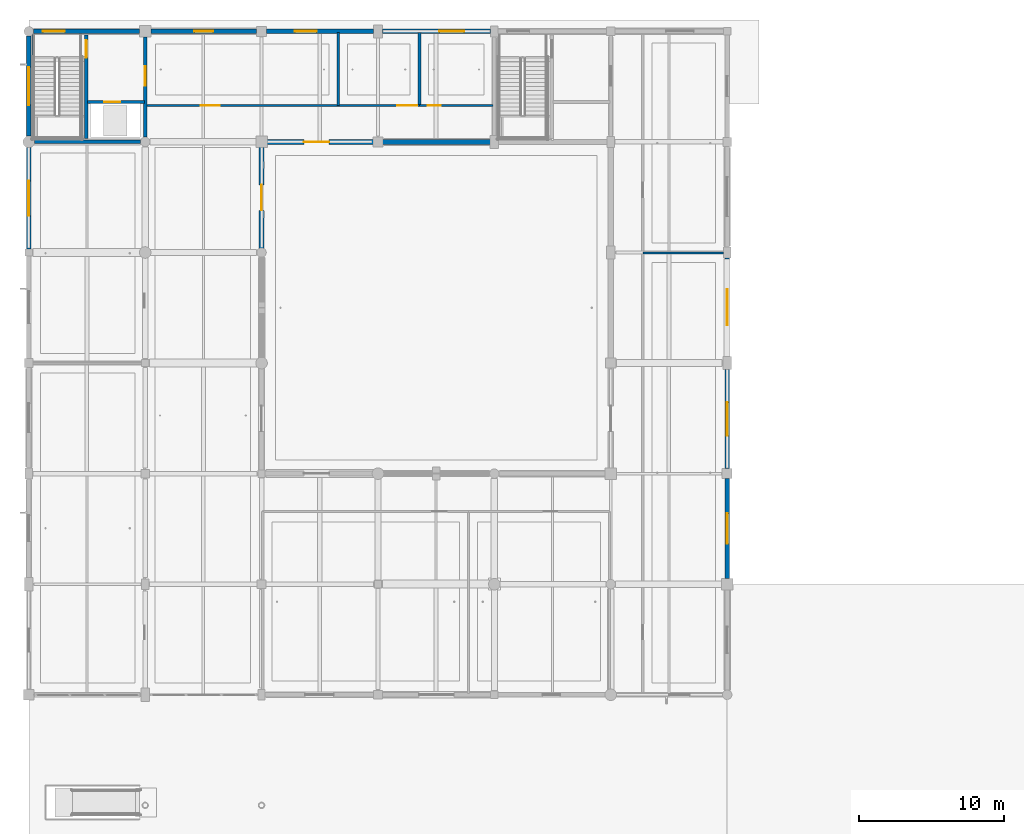
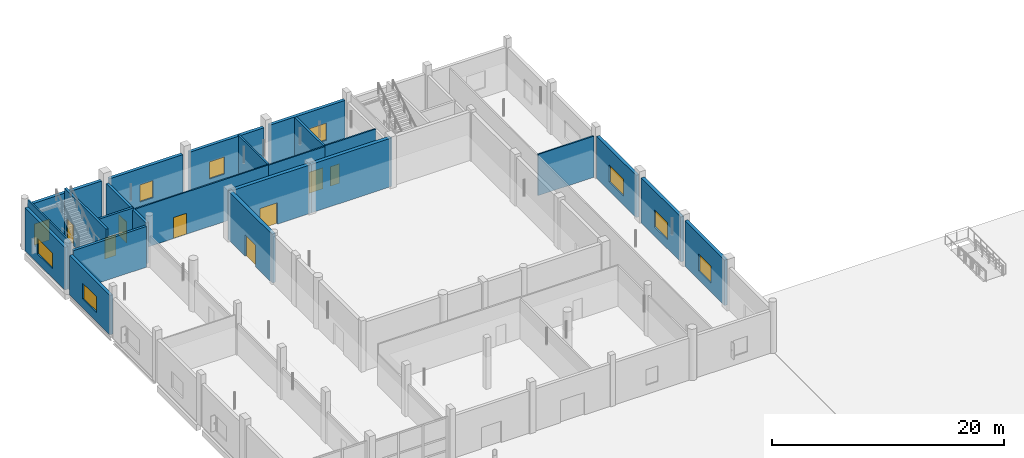
# One storey, part 65 of 126: 23 walls, 9 doors, 8 windows, 17 openings.
"""IFC4 building model written with IfcOpenShell, lengths in metres."""

from ifc_helpers import new_model, si_unit, direction, frame, frame_2d, origin, place, context, subcontext, project, spatial, rectangle, extrude, material, layer, layer_set, type_object, element, fill, save


model = new_model("IFC4")

# Units and contexts
model_context = context("Model", 3, precision=1e-05, world=origin(), true_north=direction((0.0, 1.0)))
body_context = subcontext(model_context, "Body", "Model", "MODEL_VIEW")
ifc_project = project(units=[si_unit("LENGTHUNIT", "METRE"), si_unit("AREAUNIT", "SQUARE_METRE"), si_unit("VOLUMEUNIT", "CUBIC_METRE"), si_unit("PLANEANGLEUNIT", "RADIAN"), si_unit("MASSUNIT", "GRAM", prefix="KILO")], contexts=[model_context])

# Site, building, storey
site_placement = place(None, origin())
site = spatial("IfcSite", under=ifc_project, at=site_placement, CompositionType="ELEMENT")
building_placement = place(site_placement, origin())
building = spatial("IfcBuilding", under=site, at=building_placement, Name="Khelvaren Railside Concert Hall", CompositionType="ELEMENT")
storey_placement = place(building_placement, origin())
storey = spatial("IfcBuildingStorey", under=building, at=storey_placement, Name="L00", CompositionType="ELEMENT", Elevation=0.0)

# Walls
ifc_material_1 = material(Name="Concrete C40/50", Category="concrete")
ifc_layer_1 = layer(ifc_material_1, 0.139892578125)
ifc_layer_set_1 = layer_set([ifc_layer_1], Name="Concrete C40/50")
wall_type_1 = type_object("IfcWallType", Name="CW17", PredefinedType="SOLIDWALL", material=ifc_layer_set_1)
wall_1_placement = place(storey_placement, frame((0.27490234375, 106.550048828125, 0.0), z_axis=(0.0, 0.0, 1.0), x_axis=(0.0, 1.0, 0.0)))
element("IfcWall", 1, at=wall_1_placement, inside=storey, type_object=wall_type_1, Name="Core Shaft Structural Liner Wall ST-07-L00", PredefinedType="SOLIDWALL", context=body_context, shape_type="SweptSolid", body=[
    extrude(rectangle(XDim=7.300048828125, YDim=0.139892578125, at=frame_2d((3.64990234375, 0.0))), origin(), (0.0, 0.0, 1.0), 5.10009765625),
])
ifc_layer_2 = layer(ifc_material_1, 0.25)
ifc_layer_set_2 = layer_set([ifc_layer_2], Name="Concrete C40/50")
wall_type_2 = type_object("IfcWallType", Name="CW82", PredefinedType="SOLIDWALL", material=ifc_layer_set_2)
wall_2_placement = place(storey_placement, frame((0.39990234375, 106.39990234375, 0.0), z_axis=(0.0, 0.0, 1.0), x_axis=(1.0, 0.0, 0.0)))
element("IfcWall", 2, at=wall_2_placement, inside=storey, type_object=wall_type_2, Name="Core Enclosure Wall CWALL-ST-07-L00-S", PredefinedType="SOLIDWALL", context=body_context, shape_type="SweptSolid", body=[
    extrude(rectangle(XDim=7.275146484375, YDim=0.25, at=frame_2d((3.6376953125, 0.0))), origin(), (0.0, 0.0, 1.0), 4.27490234375),
])

# Wall, opening, door
wall_3_placement = place(storey_placement, frame((8.0, 106.72509765625, 0.0), z_axis=(0.0, 0.0, 1.0), x_axis=(0.0, 1.0, 0.0)))
wall_3 = element("IfcWall", 3, at=wall_3_placement, inside=storey, type_object=wall_type_2, Name="Core Enclosure Wall CWALL-ST-07-L00-E", PredefinedType="SOLIDWALL", context=body_context, shape_type="SweptSolid", body=[
    extrude(rectangle(XDim=6.875, YDim=0.25, at=frame_2d((3.4375, 0.0))), origin(), (0.0, 0.0, 1.0), 4.27490234375),
])
opening_1_placement = place(wall_3_placement, frame((3.52490234375, 0.0, 0.0)))
opening_1 = element("IfcOpeningElement", 4, at=opening_1_placement, cuts=wall_3, Name="Opening FDR34", PredefinedType="OPENING", context=body_context, shape_type="SweptSolid", body=[
    extrude(rectangle(XDim=1.35009765625, YDim=2.199951171875, at=frame_2d((0.675048828125, 1.10009765625))), frame((0.0, 0.135009765625, 0.0), z_axis=(0.0, -1.0, 0.0), x_axis=(1.0, 0.0, 0.0)), (0.0, 0.0, 1.0), 0.27001953125),
])
ifc_material_2 = material(Name="Acoustic fire-rated timber-core steel frame door", Category="steel")
door_type_1 = type_object("IfcDoorType", Name="FDR34", OperationType="NOTDEFINED", PredefinedType="DOOR", material=ifc_material_2)
door_1_placement = place(opening_1_placement, origin())
door_1 = element("IfcDoor", 5, at=door_1_placement, inside=storey, type_object=door_type_1, Name="Interior Door DR-ST-07-L00-LOB", OperationType="SINGLE_SWING_LEFT", OverallHeight=2.199951171875, OverallWidth=1.35009765625, PredefinedType="DOOR", context=body_context, shape_type="SweptSolid", body=[
    extrude(rectangle(XDim=1.35009765625, YDim=2.199951171875, at=frame_2d((0.675048828125, 1.10009765625))), frame((0.0, 0.02490234375, 0.0), z_axis=(0.0, -1.0, 0.0), x_axis=(1.0, 0.0, 0.0)), (0.0, 0.0, 1.0), 0.050048828125),
])
fill(opening_1, door_1)

ifc_layer_3 = layer(ifc_material_1, 0.219970703125)
ifc_layer_set_3 = layer_set([ifc_layer_3], Name="Concrete C40/50")
wall_type_3 = type_object("IfcWallType", Name="CW97", PredefinedType="SOLIDWALL", material=ifc_layer_set_3)
wall_4_placement = place(storey_placement, frame((3.949951171875, 106.64990234375, 0.0), z_axis=(0.0, 0.0, 1.0), x_axis=(0.0, 1.0, 0.0)))
wall_4 = element("IfcWall", 6, at=wall_4_placement, inside=storey, type_object=wall_type_3, Name="Core Enclosure Wall CWALL-ST-07-L00-MID", PredefinedType="SOLIDWALL", context=body_context, shape_type="SweptSolid", body=[
    extrude(rectangle(XDim=7.10009765625, YDim=0.219970703125, at=frame_2d((3.550048828125, 0.0))), origin(), (0.0, 0.0, 1.0), 5.10009765625),
])
opening_2_placement = place(wall_4_placement, frame((5.550048828125, 0.0, 0.0)))
opening_2 = element("IfcOpeningElement", 7, at=opening_2_placement, cuts=wall_4, Name="Opening FDR17", PredefinedType="OPENING", context=body_context, shape_type="SweptSolid", body=[
    extrude(rectangle(XDim=1.199951171875, YDim=2.14990234375, at=frame_2d((0.60009765625, 1.074951171875))), frame((0.0, 0.119873046875, 0.0), z_axis=(0.0, -1.0, 0.0), x_axis=(1.0, 0.0, 0.0)), (0.0, 0.0, 1.0), 0.239990234375),
])
door_type_2 = type_object("IfcDoorType", Name="FDR17", OperationType="NOTDEFINED", PredefinedType="DOOR", material=ifc_material_2)
door_2_placement = place(opening_2_placement, origin())
door_2 = element("IfcDoor", 8, at=door_2_placement, inside=storey, type_object=door_type_2, Name="Interior Door DR-ST-07-L00-ST", OperationType="SINGLE_SWING_RIGHT", OverallHeight=2.14990234375, OverallWidth=1.199951171875, PredefinedType="DOOR", context=body_context, shape_type="SweptSolid", body=[
    extrude(rectangle(XDim=1.199951171875, YDim=2.14990234375, at=frame_2d((0.60009765625, 1.074951171875))), frame((0.0, 0.02490234375, 0.0), z_axis=(0.0, -1.0, 0.0), x_axis=(1.0, 0.0, 0.0)), (0.0, 0.0, 1.0), 0.050048828125),
])
fill(opening_2, door_2)

wall_5_placement = place(storey_placement, frame((4.02001953125, 109.14990234375, 0.0), z_axis=(0.0, 0.0, 1.0), x_axis=(1.0, 0.0, 0.0)))
wall_5 = element("IfcWall", 9, at=wall_5_placement, inside=storey, type_object=wall_type_3, Name="Core Enclosure Wall CWALL-ST-07-L00-SHF", PredefinedType="SOLIDWALL", context=body_context, shape_type="SweptSolid", body=[
    extrude(rectangle(XDim=3.929931640625, YDim=0.219970703125, at=frame_2d((1.96484375, 0.0))), origin(), (0.0, 0.0, 1.0), 4.449951171875),
])
opening_3_placement = place(wall_5_placement, frame((1.14990234375, 0.0, 0.0)))
opening_3 = element("IfcOpeningElement", 10, at=opening_3_placement, cuts=wall_5, Name="Opening LD-PL-05", PredefinedType="OPENING", context=body_context, shape_type="SweptSolid", body=[
    extrude(rectangle(XDim=1.10009765625, YDim=2.199951171875, at=frame_2d((0.550048828125, 1.10009765625))), frame((0.0, 0.119873046875, 0.0), z_axis=(0.0, -1.0, 0.0), x_axis=(1.0, 0.0, 0.0)), (0.0, 0.0, 1.0), 0.239990234375),
])
ifc_material_3 = material(Name="Fire-rated brushed stainless steel landing door", Category="steel")
door_type_3 = type_object("IfcDoorType", Name="LD96", OperationType="DOUBLE_DOOR_SLIDING", PredefinedType="DOOR", material=ifc_material_3)
door_3_placement = place(opening_3_placement, origin())
door_3 = element("IfcDoor", 11, at=door_3_placement, inside=storey, type_object=door_type_3, Name="Lift Landing Door LD-PL-05-L00", OperationType="DOUBLE_DOOR_SLIDING", OverallHeight=2.199951171875, OverallWidth=1.10009765625, PredefinedType="DOOR", context=body_context, shape_type="SweptSolid", body=[
    extrude(rectangle(XDim=1.10009765625, YDim=2.199951171875, at=frame_2d((0.550048828125, 1.10009765625))), frame((0.0, 0.02490234375, 0.0), z_axis=(0.0, -1.0, 0.0), x_axis=(1.0, 0.0, 0.0)), (0.0, 0.0, 1.0), 0.050048828125),
])
fill(opening_3, door_3)

# Wall, opening, window
ifc_material_4 = material(Name="Board-marked architectural concrete C40/50", Category="concrete")
ifc_layer_4 = layer(ifc_material_4, 0.31005859375)
ifc_layer_set_4 = layer_set([ifc_layer_4], Name="Board-marked architectural concrete C40/50")
wall_type_4 = type_object("IfcWallType", Name="EW33", PredefinedType="SOLIDWALL", material=ifc_layer_set_4)
wall_6_placement = place(storey_placement, frame((0.0, 99.050048828125, 0.0), z_axis=(0.0, 0.0, 1.0), x_axis=(0.0, 1.0, 0.0)))
wall_6 = element("IfcWall", 12, at=wall_6_placement, inside=storey, type_object=wall_type_4, Name="V4 L00 Exterior Concrete Wall W-99", PredefinedType="SOLIDWALL", context=body_context, shape_type="SweptSolid", body=[
    extrude(rectangle(XDim=6.949951171875, YDim=0.31005859375, at=frame_2d((3.47509765625, 0.0))), origin(), (0.0, 0.0, 1.0), 4.139892578125),
])
opening_4_placement = place(wall_6_placement, frame((2.27490234375, 0.0, 0.949951171875)))
opening_4 = element("IfcOpeningElement", 13, at=opening_4_placement, cuts=wall_6, Name="Opening WN15", PredefinedType="OPENING", context=body_context, shape_type="SweptSolid", body=[
    extrude(rectangle(XDim=2.39990234375, YDim=1.64990234375, at=frame_2d((1.199951171875, 0.824951171875))), frame((0.0, 0.1650390625, 0.0), z_axis=(0.0, -1.0, 0.0), x_axis=(1.0, 0.0, 0.0)), (0.0, 0.0, 1.0), 0.330078125),
])
ifc_material_5 = material(Name="Triple-glazed acoustic aluminium window", Category="aluminium")
window_type_1 = type_object("IfcWindowType", Name="WN15", PartitioningType="DOUBLE_PANEL_VERTICAL", PredefinedType="WINDOW", material=ifc_material_5)
window_1_placement = place(opening_4_placement, origin())
window_1 = element("IfcWindow", 14, at=window_1_placement, inside=storey, type_object=window_type_1, Name="Acoustic Facade Window EW-V4-L00-W-99", OverallHeight=1.64990234375, OverallWidth=2.39990234375, PartitioningType="DOUBLE_PANEL_VERTICAL", PredefinedType="WINDOW", context=body_context, shape_type="SweptSolid", body=[
    extrude(rectangle(XDim=2.39990234375, YDim=1.64990234375, at=frame_2d((1.199951171875, 0.824951171875))), frame((0.0, 0.030029296875, 0.0), z_axis=(0.0, -1.0, 0.0), x_axis=(1.0, 0.0, 0.0)), (0.0, 0.0, 1.0), 0.06005859375),
])
fill(opening_4, window_1)

wall_7_placement = place(storey_placement, frame((0.0, 106.800048828125, 0.0), z_axis=(0.0, 0.0, 1.0), x_axis=(0.0, 1.0, 0.0)))
wall_7 = element("IfcWall", 15, at=wall_7_placement, inside=storey, type_object=wall_type_4, Name="V4 L00 Exterior Concrete Wall W-106", PredefinedType="SOLIDWALL", context=body_context, shape_type="SweptSolid", body=[
    extrude(rectangle(XDim=6.875, YDim=0.31005859375, at=frame_2d((3.4375, 0.0))), origin(), (0.0, 0.0, 1.0), 4.489990234375),
])
opening_5_placement = place(wall_7_placement, frame((2.137451171875, 0.0, 0.949951171875)))
opening_5 = element("IfcOpeningElement", 16, at=opening_5_placement, cuts=wall_7, Name="Opening WN31", PredefinedType="OPENING", context=body_context, shape_type="SweptSolid", body=[
    extrude(rectangle(XDim=2.60009765625, YDim=1.64990234375, at=frame_2d((1.300048828125, 0.824951171875))), frame((0.0, 0.1650390625, 0.0), z_axis=(0.0, -1.0, 0.0), x_axis=(1.0, 0.0, 0.0)), (0.0, 0.0, 1.0), 0.330078125),
])
window_type_2 = type_object("IfcWindowType", Name="WN31", PartitioningType="DOUBLE_PANEL_VERTICAL", PredefinedType="WINDOW", material=ifc_material_5)
window_2_placement = place(opening_5_placement, origin())
window_2 = element("IfcWindow", 17, at=window_2_placement, inside=storey, type_object=window_type_2, Name="Acoustic Facade Window EW-V4-L00-W-106", OverallHeight=1.64990234375, OverallWidth=2.60009765625, PartitioningType="DOUBLE_PANEL_VERTICAL", PredefinedType="WINDOW", context=body_context, shape_type="SweptSolid", body=[
    extrude(rectangle(XDim=2.60009765625, YDim=1.64990234375, at=frame_2d((1.300048828125, 0.824951171875))), frame((0.0, 0.030029296875, 0.0), z_axis=(0.0, -1.0, 0.0), x_axis=(1.0, 0.0, 0.0)), (0.0, 0.0, 1.0), 0.06005859375),
])
fill(opening_5, window_2)

# Wall, opening, door
wall_8_placement = place(storey_placement, frame((0.324951171875, 114.0, 0.0), z_axis=(0.0, 0.0, 1.0), x_axis=(1.0, 0.0, 0.0)))
wall_8 = element("IfcWall", 18, at=wall_8_placement, inside=storey, type_object=wall_type_4, Name="V4 L00 Exterior Concrete Wall N-0", PredefinedType="SOLIDWALL", context=body_context, shape_type="SweptSolid", body=[
    extrude(rectangle(XDim=7.275146484375, YDim=0.31005859375, at=frame_2d((3.6376953125, 0.0))), origin(), (0.0, 0.0, 1.0), 4.489990234375),
])
opening_6_placement = place(wall_8_placement, frame((0.64990234375, 0.0, 0.0)))
opening_6 = element("IfcOpeningElement", 19, at=opening_6_placement, cuts=wall_8, Name="Opening E-ST07", PredefinedType="OPENING", context=body_context, shape_type="SweptSolid", body=[
    extrude(rectangle(XDim=1.5, YDim=2.199951171875, at=frame_2d((0.75, 1.10009765625))), frame((0.0, 0.1650390625, 0.0), z_axis=(0.0, -1.0, 0.0), x_axis=(1.0, 0.0, 0.0)), (0.0, 0.0, 1.0), 0.330078125),
])
ifc_material_6 = material(Name="Acoustic thermally broken steel exit door", Category="steel")
door_type_4 = type_object("IfcDoorType", Name="EDR82", OperationType="NOTDEFINED", PredefinedType="DOOR", material=ifc_material_6)
door_4_placement = place(opening_6_placement, origin())
door_4 = element("IfcDoor", 20, at=door_4_placement, inside=storey, type_object=door_type_4, Name="Final Stair Exit Door E-ST07", OperationType="SINGLE_SWING_RIGHT", OverallHeight=2.199951171875, OverallWidth=1.5, PredefinedType="DOOR", context=body_context, shape_type="SweptSolid", body=[
    extrude(rectangle(XDim=1.5, YDim=2.199951171875, at=frame_2d((0.75, 1.10009765625))), frame((0.0, 0.02490234375, 0.0), z_axis=(0.0, -1.0, 0.0), x_axis=(1.0, 0.0, 0.0)), (0.0, 0.0, 1.0), 0.050048828125),
])
fill(opening_6, door_4)

# Wall, opening, window
wall_9_placement = place(storey_placement, frame((8.39990234375, 114.0, 0.0), z_axis=(0.0, 0.0, 1.0), x_axis=(1.0, 0.0, 0.0)))
wall_9 = element("IfcWall", 21, at=wall_9_placement, inside=storey, type_object=wall_type_4, Name="V4 L00 Exterior Concrete Wall N-8", PredefinedType="SOLIDWALL", context=body_context, shape_type="SweptSolid", body=[
    extrude(rectangle(XDim=7.25, YDim=0.31005859375, at=frame_2d((3.625, 0.0))), origin(), (0.0, 0.0, 1.0), 4.43994140625),
])
opening_7_placement = place(wall_9_placement, frame((2.97509765625, 0.0, 0.949951171875)))
opening_7 = element("IfcOpeningElement", 22, at=opening_7_placement, cuts=wall_9, Name="Opening WN95", PredefinedType="OPENING", context=body_context, shape_type="SweptSolid", body=[
    extrude(rectangle(XDim=1.300048828125, YDim=1.800048828125, at=frame_2d((0.64990234375, 0.89990234375))), frame((0.0, 0.1650390625, 0.0), z_axis=(0.0, -1.0, 0.0), x_axis=(1.0, 0.0, 0.0)), (0.0, 0.0, 1.0), 0.330078125),
])
window_type_3 = type_object("IfcWindowType", Name="WN95", PartitioningType="SINGLE_PANEL", PredefinedType="WINDOW", material=ifc_material_5)
window_3_placement = place(opening_7_placement, origin())
window_3 = element("IfcWindow", 23, at=window_3_placement, inside=storey, type_object=window_type_3, Name="Acoustic Facade Window EW-V4-L00-N-8", OverallHeight=1.800048828125, OverallWidth=1.300048828125, PartitioningType="SINGLE_PANEL", PredefinedType="WINDOW", context=body_context, shape_type="SweptSolid", body=[
    extrude(rectangle(XDim=1.300048828125, YDim=1.800048828125, at=frame_2d((0.64990234375, 0.89990234375))), frame((0.0, 0.030029296875, 0.0), z_axis=(0.0, -1.0, 0.0), x_axis=(1.0, 0.0, 0.0)), (0.0, 0.0, 1.0), 0.06005859375),
])
fill(opening_7, window_3)

wall_10_placement = place(storey_placement, frame((16.35009765625, 114.0, 0.0), z_axis=(0.0, 0.0, 1.0), x_axis=(1.0, 0.0, 0.0)))
wall_10 = element("IfcWall", 24, at=wall_10_placement, inside=storey, type_object=wall_type_4, Name="V4 L00 Exterior Concrete Wall N-16", PredefinedType="SOLIDWALL", context=body_context, shape_type="SweptSolid", body=[
    extrude(rectangle(XDim=7.349853515625, YDim=0.31005859375, at=frame_2d((3.6748046875, 0.0))), origin(), (0.0, 0.0, 1.0), 4.43994140625),
])
opening_8_placement = place(wall_10_placement, frame((1.93408203125, 0.0, 0.949951171875)))
opening_8 = element("IfcOpeningElement", 25, at=opening_8_placement, cuts=wall_10, Name="Opening WN64", PredefinedType="OPENING", context=body_context, shape_type="SweptSolid", body=[
    extrude(rectangle(XDim=1.5, YDim=1.800048828125, at=frame_2d((0.75, 0.89990234375))), frame((0.0, 0.1650390625, 0.0), z_axis=(0.0, -1.0, 0.0), x_axis=(1.0, 0.0, 0.0)), (0.0, 0.0, 1.0), 0.330078125),
])
window_type_4 = type_object("IfcWindowType", Name="WN64", PartitioningType="SINGLE_PANEL", PredefinedType="WINDOW", material=ifc_material_5)
window_4_placement = place(opening_8_placement, origin())
window_4 = element("IfcWindow", 26, at=window_4_placement, inside=storey, type_object=window_type_4, Name="Acoustic Facade Window EW-V4-L00-N-16", OverallHeight=1.800048828125, OverallWidth=1.5, PartitioningType="SINGLE_PANEL", PredefinedType="WINDOW", context=body_context, shape_type="SweptSolid", body=[
    extrude(rectangle(XDim=1.5, YDim=1.800048828125, at=frame_2d((0.75, 0.89990234375))), frame((0.0, 0.030029296875, 0.0), z_axis=(0.0, -1.0, 0.0), x_axis=(1.0, 0.0, 0.0)), (0.0, 0.0, 1.0), 0.06005859375),
])
fill(opening_8, window_4)

wall_11_placement = place(storey_placement, frame((24.300048828125, 114.0, 0.0), z_axis=(0.0, 0.0, 1.0), x_axis=(1.0, 0.0, 0.0)))
wall_11 = element("IfcWall", 27, at=wall_11_placement, inside=storey, type_object=wall_type_4, Name="V4 L00 Exterior Concrete Wall N-24", PredefinedType="SOLIDWALL", context=body_context, shape_type="SweptSolid", body=[
    extrude(rectangle(XDim=7.449951171875, YDim=0.31005859375, at=frame_2d((3.72509765625, 0.0))), origin(), (0.0, 0.0, 1.0), 4.489990234375),
])
opening_9_placement = place(wall_11_placement, frame((3.924072265625, 0.0, 0.949951171875)))
opening_9 = element("IfcOpeningElement", 28, at=opening_9_placement, cuts=wall_11, Name="Opening WN54", PredefinedType="OPENING", context=body_context, shape_type="SweptSolid", body=[
    extrude(rectangle(XDim=1.699951171875, YDim=1.800048828125, at=frame_2d((0.85009765625, 0.89990234375))), frame((0.0, 0.1650390625, 0.0), z_axis=(0.0, -1.0, 0.0), x_axis=(1.0, 0.0, 0.0)), (0.0, 0.0, 1.0), 0.330078125),
])
window_type_5 = type_object("IfcWindowType", Name="WN54", PartitioningType="SINGLE_PANEL", PredefinedType="WINDOW", material=ifc_material_5)
window_5_placement = place(opening_9_placement, origin())
window_5 = element("IfcWindow", 29, at=window_5_placement, inside=storey, type_object=window_type_5, Name="Acoustic Facade Window EW-V4-L00-N-24", OverallHeight=1.800048828125, OverallWidth=1.699951171875, PartitioningType="SINGLE_PANEL", PredefinedType="WINDOW", context=body_context, shape_type="SweptSolid", body=[
    extrude(rectangle(XDim=1.699951171875, YDim=1.800048828125, at=frame_2d((0.85009765625, 0.89990234375))), frame((0.0, 0.030029296875, 0.0), z_axis=(0.0, -1.0, 0.0), x_axis=(1.0, 0.0, 0.0)), (0.0, 0.0, 1.0), 0.06005859375),
])
fill(opening_9, window_5)

wall_12_placement = place(storey_placement, frame((48.0, 83.25, 0.0), z_axis=(0.0, 0.0, 1.0), x_axis=(0.0, -1.0, 0.0)))
wall_12 = element("IfcWall", 30, at=wall_12_placement, inside=storey, type_object=wall_type_4, Name="V4 L00 Exterior Concrete Wall E-76", PredefinedType="SOLIDWALL", context=body_context, shape_type="SweptSolid", body=[
    extrude(rectangle(XDim=6.85009765625, YDim=0.31005859375, at=frame_2d((3.425048828125, 0.0))), origin(), (0.0, 0.0, 1.0), 4.780029296875),
])
opening_10_placement = place(wall_12_placement, frame((2.375, 0.0, 0.949951171875)))
opening_10 = element("IfcOpeningElement", 31, at=opening_10_placement, cuts=wall_12, Name="Opening WN14", PredefinedType="OPENING", context=body_context, shape_type="SweptSolid", body=[
    extrude(rectangle(XDim=2.10009765625, YDim=1.800048828125, at=frame_2d((1.050048828125, 0.89990234375))), frame((0.0, 0.1650390625, 0.0), z_axis=(0.0, -1.0, 0.0), x_axis=(1.0, 0.0, 0.0)), (0.0, 0.0, 1.0), 0.330078125),
])
window_type_6 = type_object("IfcWindowType", Name="WN14", PartitioningType="DOUBLE_PANEL_VERTICAL", PredefinedType="WINDOW", material=ifc_material_5)
window_6_placement = place(opening_10_placement, origin())
window_6 = element("IfcWindow", 32, at=window_6_placement, inside=storey, type_object=window_type_6, Name="Acoustic Facade Window EW-V4-L00-E-76", OverallHeight=1.800048828125, OverallWidth=2.10009765625, PartitioningType="DOUBLE_PANEL_VERTICAL", PredefinedType="WINDOW", context=body_context, shape_type="SweptSolid", body=[
    extrude(rectangle(XDim=2.10009765625, YDim=1.800048828125, at=frame_2d((1.050048828125, 0.89990234375))), frame((0.0, 0.030029296875, 0.0), z_axis=(0.0, -1.0, 0.0), x_axis=(1.0, 0.0, 0.0)), (0.0, 0.0, 1.0), 0.06005859375),
])
fill(opening_10, window_6)

wall_13_placement = place(storey_placement, frame((48.0, 90.75, 0.0), z_axis=(0.0, 0.0, 1.0), x_axis=(0.0, -1.0, 0.0)))
wall_13 = element("IfcWall", 33, at=wall_13_placement, inside=storey, type_object=wall_type_4, Name="V4 L00 Exterior Concrete Wall E-84", PredefinedType="SOLIDWALL", context=body_context, shape_type="SweptSolid", body=[
    extrude(rectangle(XDim=6.800048828125, YDim=0.31005859375, at=frame_2d((3.39990234375, 0.0))), origin(), (0.0, 0.0, 1.0), 4.72998046875),
])
opening_11_placement = place(wall_13_placement, frame((2.25, 0.0, 0.949951171875)))
opening_11 = element("IfcOpeningElement", 34, at=opening_11_placement, cuts=wall_13, Name="Opening WN63", PredefinedType="OPENING", context=body_context, shape_type="SweptSolid", body=[
    extrude(rectangle(XDim=2.300048828125, YDim=1.800048828125, at=frame_2d((1.14990234375, 0.89990234375))), frame((0.0, 0.1650390625, 0.0), z_axis=(0.0, -1.0, 0.0), x_axis=(1.0, 0.0, 0.0)), (0.0, 0.0, 1.0), 0.330078125),
])
window_type_7 = type_object("IfcWindowType", Name="WN63", PartitioningType="DOUBLE_PANEL_VERTICAL", PredefinedType="WINDOW", material=ifc_material_5)
window_7_placement = place(opening_11_placement, origin())
window_7 = element("IfcWindow", 35, at=window_7_placement, inside=storey, type_object=window_type_7, Name="Acoustic Facade Window EW-V4-L00-E-84", OverallHeight=1.800048828125, OverallWidth=2.300048828125, PartitioningType="DOUBLE_PANEL_VERTICAL", PredefinedType="WINDOW", context=body_context, shape_type="SweptSolid", body=[
    extrude(rectangle(XDim=2.300048828125, YDim=1.800048828125, at=frame_2d((1.14990234375, 0.89990234375))), frame((0.0, 0.030029296875, 0.0), z_axis=(0.0, -1.0, 0.0), x_axis=(1.0, 0.0, 0.0)), (0.0, 0.0, 1.0), 0.06005859375),
])
fill(opening_11, window_7)

wall_14_placement = place(storey_placement, frame((48.0, 98.425048828125, 0.0), z_axis=(0.0, 0.0, 1.0), x_axis=(0.0, -1.0, 0.0)))
wall_14 = element("IfcWall", 36, at=wall_14_placement, inside=storey, type_object=wall_type_4, Name="V4 L00 Exterior Concrete Wall E-91", PredefinedType="SOLIDWALL", context=body_context, shape_type="SweptSolid", body=[
    extrude(rectangle(XDim=6.775146484375, YDim=0.31005859375, at=frame_2d((3.3876953125, 0.0))), origin(), (0.0, 0.0, 1.0), 4.43994140625),
])
opening_12_placement = place(wall_14_placement, frame((2.137451171875, 0.0, 0.949951171875)))
opening_12 = element("IfcOpeningElement", 37, at=opening_12_placement, cuts=wall_14, Name="Opening WN27", PredefinedType="OPENING", context=body_context, shape_type="SweptSolid", body=[
    extrude(rectangle(XDim=2.5, YDim=1.800048828125, at=frame_2d((1.25, 0.89990234375))), frame((0.0, 0.1650390625, 0.0), z_axis=(0.0, -1.0, 0.0), x_axis=(1.0, 0.0, 0.0)), (0.0, 0.0, 1.0), 0.330078125),
])
window_type_8 = type_object("IfcWindowType", Name="WN27", PartitioningType="DOUBLE_PANEL_VERTICAL", PredefinedType="WINDOW", material=ifc_material_5)
window_8_placement = place(opening_12_placement, origin())
window_8 = element("IfcWindow", 38, at=window_8_placement, inside=storey, type_object=window_type_8, Name="Acoustic Facade Window EW-V4-L00-E-91", OverallHeight=1.800048828125, OverallWidth=2.5, PartitioningType="DOUBLE_PANEL_VERTICAL", PredefinedType="WINDOW", context=body_context, shape_type="SweptSolid", body=[
    extrude(rectangle(XDim=2.5, YDim=1.800048828125, at=frame_2d((1.25, 0.89990234375))), frame((0.0, 0.030029296875, 0.0), z_axis=(0.0, -1.0, 0.0), x_axis=(1.0, 0.0, 0.0)), (0.0, 0.0, 1.0), 0.06005859375),
])
fill(opening_12, window_8)

# Walls
ifc_material_7 = material(Name="Acoustic double-stud gypsum partition", Category="gypsum")
ifc_layer_5 = layer(ifc_material_7, 0.139892578125)
ifc_layer_set_5 = layer_set([ifc_layer_5], Name="Acoustic double-stud gypsum partition")
wall_type_5 = type_object("IfcWallType", Name="PT41", PredefinedType="PARTITIONING", material=ifc_layer_set_5)
wall_15_placement = place(storey_placement, frame((42.199951171875, 98.780029296875, 0.0), z_axis=(0.0, 0.0, 1.0), x_axis=(1.0, 0.0, 0.0)))
element("IfcWall", 39, at=wall_15_placement, inside=storey, type_object=wall_type_5, Name="Acoustic Partition Wall PW-V4-L00-EB-D01", PredefinedType="PARTITIONING", context=body_context, shape_type="SweptSolid", body=[
    extrude(rectangle(XDim=5.550048828125, YDim=0.139892578125, at=frame_2d((2.77490234375, 0.0))), origin(), (0.0, 0.0, 1.0), 4.324951171875),
])
ifc_layer_6 = layer(ifc_material_7, 0.179931640625)
ifc_layer_set_6 = layer_set([ifc_layer_6], Name="Acoustic double-stud gypsum partition")
wall_type_6 = type_object("IfcWallType", Name="PT53", PredefinedType="PARTITIONING", material=ifc_layer_set_6)
wall_16_placement = place(storey_placement, frame((21.26806640625, 108.89990234375, 0.0), z_axis=(0.0, 0.0, 1.0), x_axis=(0.0, 1.0, 0.0)))
element("IfcWall", 40, at=wall_16_placement, inside=storey, type_object=wall_type_6, Name="Acoustic Partition Wall PW-V4-L00-NB-D01", PredefinedType="PARTITIONING", context=body_context, shape_type="SweptSolid", body=[
    extrude(rectangle(XDim=5.02001953125, YDim=0.179931640625, at=frame_2d((2.510009765625, 0.0))), origin(), (0.0, 0.0, 1.0), 4.4951171875),
])

# Wall, opening, door
ifc_layer_7 = layer(ifc_material_7, 0.139892578125)
ifc_layer_set_7 = layer_set([ifc_layer_7], Name="Acoustic double-stud gypsum partition")
wall_type_7 = type_object("IfcWallType", Name="PT55", PredefinedType="PARTITIONING", material=ifc_layer_set_7)
wall_17_placement = place(storey_placement, frame((8.080078125, 108.89990234375, 0.0), z_axis=(0.0, 0.0, 1.0), x_axis=(1.0, 0.0, 0.0)))
wall_17 = element("IfcWall", 41, at=wall_17_placement, inside=storey, type_object=wall_type_7, Name="Acoustic Partition Wall PW-V4-L00-NB-C01", PredefinedType="PARTITIONING", context=body_context, shape_type="SweptSolid", body=[
    extrude(rectangle(XDim=13.18798828125, YDim=0.139892578125, at=frame_2d((6.593994140625, 0.0))), origin(), (0.0, 0.0, 1.0), 4.425048828125),
])
opening_13_placement = place(wall_17_placement, frame((3.744384765625, 0.0, 0.0)))
opening_13 = element("IfcOpeningElement", 42, at=opening_13_placement, cuts=wall_17, Name="Opening IDR18", PredefinedType="OPENING", context=body_context, shape_type="SweptSolid", body=[
    extrude(rectangle(XDim=1.300048828125, YDim=2.199951171875, at=frame_2d((0.64990234375, 1.10009765625))), frame((0.0, 0.079833984375, 0.0), z_axis=(0.0, -1.0, 0.0), x_axis=(1.0, 0.0, 0.0)), (0.0, 0.0, 1.0), 0.159912109375),
])
ifc_material_8 = material(Name="Solid oak acoustic studio door", Category="wood")
door_type_5 = type_object("IfcDoorType", Name="IDR18", OperationType="NOTDEFINED", PredefinedType="DOOR", material=ifc_material_8)
door_5_placement = place(opening_13_placement, origin())
door_5 = element("IfcDoor", 43, at=door_5_placement, inside=storey, type_object=door_type_5, Name="Interior Door DR-V4-L00-NB-01", OperationType="SINGLE_SWING_LEFT", OverallHeight=2.199951171875, OverallWidth=1.300048828125, PredefinedType="DOOR", context=body_context, shape_type="SweptSolid", body=[
    extrude(rectangle(XDim=1.300048828125, YDim=2.199951171875, at=frame_2d((0.64990234375, 1.10009765625))), frame((0.0, 0.02490234375, 0.0), z_axis=(0.0, -1.0, 0.0), x_axis=(1.0, 0.0, 0.0)), (0.0, 0.0, 1.0), 0.050048828125),
])
fill(opening_13, door_5)

wall_18_placement = place(storey_placement, frame((21.26806640625, 108.89990234375, 0.0), z_axis=(0.0, 0.0, 1.0), x_axis=(1.0, 0.0, 0.0)))
wall_18 = element("IfcWall", 44, at=wall_18_placement, inside=storey, type_object=wall_type_7, Name="Acoustic Partition Wall PW-V4-L00-NB-C02", PredefinedType="PARTITIONING", context=body_context, shape_type="SweptSolid", body=[
    extrude(rectangle(XDim=5.579833984375, YDim=0.139892578125, at=frame_2d((2.7900390625, 0.0))), origin(), (0.0, 0.0, 1.0), 4.39990234375),
])
opening_14_placement = place(wall_18_placement, frame((4.06005859375, 0.0, 0.0)))
opening_14 = element("IfcOpeningElement", 45, at=opening_14_placement, cuts=wall_18, Name="Opening IDR82", PredefinedType="OPENING", context=body_context, shape_type="SweptSolid", body=[
    extrude(rectangle(XDim=1.3798828125, YDim=2.199951171875, at=frame_2d((0.68994140625, 1.10009765625))), frame((0.0, 0.079833984375, 0.0), z_axis=(0.0, -1.0, 0.0), x_axis=(1.0, 0.0, 0.0)), (0.0, 0.0, 1.0), 0.159912109375),
])
door_type_6 = type_object("IfcDoorType", Name="IDR82", OperationType="NOTDEFINED", PredefinedType="DOOR", material=ifc_material_8)
door_6_placement = place(opening_14_placement, origin())
door_6 = element("IfcDoor", 46, at=door_6_placement, inside=storey, type_object=door_type_6, Name="Interior Door DR-V4-L00-NB-02", OperationType="SINGLE_SWING_RIGHT", OverallHeight=2.199951171875, OverallWidth=1.3798828125, PredefinedType="DOOR", context=body_context, shape_type="SweptSolid", body=[
    extrude(rectangle(XDim=1.3798828125, YDim=2.199951171875, at=frame_2d((0.68994140625, 1.10009765625))), frame((0.0, 0.02490234375, 0.0), z_axis=(0.0, -1.0, 0.0), x_axis=(1.0, 0.0, 0.0)), (0.0, 0.0, 1.0), 0.050048828125),
])
fill(opening_14, door_6)

wall_19_placement = place(storey_placement, frame((26.847900390625, 108.89990234375, 0.0), z_axis=(0.0, 0.0, 1.0), x_axis=(1.0, 0.0, 0.0)))
wall_19 = element("IfcWall", 47, at=wall_19_placement, inside=storey, type_object=wall_type_7, Name="Acoustic Partition Wall PW-V4-L00-NB-C03", PredefinedType="PARTITIONING", context=body_context, shape_type="SweptSolid", body=[
    extrude(rectangle(XDim=5.072021484375, YDim=0.139892578125, at=frame_2d((2.5361328125, 0.0))), origin(), (0.0, 0.0, 1.0), 4.47509765625),
])
opening_15_placement = place(wall_19_placement, frame((0.583251953125, 0.0, 0.0)))
opening_15 = element("IfcOpeningElement", 48, at=opening_15_placement, cuts=wall_19, Name="Opening IDR59", PredefinedType="OPENING", context=body_context, shape_type="SweptSolid", body=[
    extrude(rectangle(XDim=0.89990234375, YDim=2.050048828125, at=frame_2d((0.449951171875, 1.02490234375))), frame((0.0, 0.079833984375, 0.0), z_axis=(0.0, -1.0, 0.0), x_axis=(1.0, 0.0, 0.0)), (0.0, 0.0, 1.0), 0.159912109375),
])
door_type_7 = type_object("IfcDoorType", Name="IDR59", OperationType="NOTDEFINED", PredefinedType="DOOR", material=ifc_material_8)
door_7_placement = place(opening_15_placement, origin())
door_7 = element("IfcDoor", 49, at=door_7_placement, inside=storey, type_object=door_type_7, Name="Interior Door DR-V4-L00-NB-03", OperationType="SINGLE_SWING_LEFT", OverallHeight=2.050048828125, OverallWidth=0.89990234375, PredefinedType="DOOR", context=body_context, shape_type="SweptSolid", body=[
    extrude(rectangle(XDim=0.89990234375, YDim=2.050048828125, at=frame_2d((0.449951171875, 1.02490234375))), frame((0.0, 0.02490234375, 0.0), z_axis=(0.0, -1.0, 0.0), x_axis=(1.0, 0.0, 0.0)), (0.0, 0.0, 1.0), 0.050048828125),
])
fill(opening_15, door_7)

# Wall
ifc_layer_8 = layer(ifc_material_7, 0.199951171875)
ifc_layer_set_8 = layer_set([ifc_layer_8], Name="Acoustic double-stud gypsum partition")
wall_type_8 = type_object("IfcWallType", Name="PT75", PredefinedType="PARTITIONING", material=ifc_layer_set_8)
wall_20_placement = place(storey_placement, frame((26.847900390625, 108.89990234375, 0.0), z_axis=(0.0, 0.0, 1.0), x_axis=(0.0, 1.0, 0.0)))
element("IfcWall", 50, at=wall_20_placement, inside=storey, type_object=wall_type_8, Name="Acoustic Partition Wall PW-V4-L00-NB-D02", PredefinedType="PARTITIONING", context=body_context, shape_type="SweptSolid", body=[
    extrude(rectangle(XDim=5.02001953125, YDim=0.199951171875, at=frame_2d((2.510009765625, 0.0))), origin(), (0.0, 0.0, 1.0), 4.469970703125),
])

# Wall, opening, door
ifc_layer_9 = layer(ifc_material_1, 0.35009765625)
ifc_layer_set_9 = layer_set([ifc_layer_9], Name="Concrete C40/50")
wall_type_9 = type_object("IfcWallType", Name="SW91", PredefinedType="SHEAR", material=ifc_layer_set_9)
wall_21_placement = place(storey_placement, frame((16.0, 106.39990234375, 0.0), z_axis=(0.0, 0.0, 1.0), x_axis=(1.0, 0.0, 0.0)))
wall_21 = element("IfcWall", 51, at=wall_21_placement, inside=storey, type_object=wall_type_9, Name="V4 Chamber Box Shear Wall L00 N1", PredefinedType="SHEAR", context=body_context, shape_type="SweptSolid", body=[
    extrude(rectangle(XDim=8.0, YDim=0.35009765625, at=frame_2d((4.0, 0.0))), origin(), (0.0, 0.0, 1.0), 5.10009765625),
])
opening_16_placement = place(wall_21_placement, frame((2.89990234375, 0.0, 0.0)))
opening_16 = element("IfcOpeningElement", 52, at=opening_16_placement, cuts=wall_21, Name="Opening ADR83", PredefinedType="OPENING", context=body_context, shape_type="SweptSolid", body=[
    extrude(rectangle(XDim=1.75, YDim=2.25, at=frame_2d((0.875, 1.125))), frame((0.0, 0.18505859375, 0.0), z_axis=(0.0, -1.0, 0.0), x_axis=(1.0, 0.0, 0.0)), (0.0, 0.0, 1.0), 0.3701171875),
])
ifc_material_9 = material(Name="Heavy acoustic double sound-lock fire door", Category="wood")
door_type_8 = type_object("IfcDoorType", Name="ADR83", OperationType="DOUBLE_DOOR_SINGLE_SWING", PredefinedType="DOOR", material=ifc_material_9)
door_8_placement = place(opening_16_placement, origin())
door_8 = element("IfcDoor", 53, at=door_8_placement, inside=storey, type_object=door_type_8, Name="Chamber Music Hall Acoustic Sound-Lock Door L00-N1", OperationType="DOUBLE_DOOR_SINGLE_SWING", OverallHeight=2.25, OverallWidth=1.75, PredefinedType="DOOR", context=body_context, shape_type="SweptSolid", body=[
    extrude(rectangle(XDim=1.75, YDim=2.25, at=frame_2d((0.875, 1.125))), frame((0.0, 0.02490234375, 0.0), z_axis=(0.0, -1.0, 0.0), x_axis=(1.0, 0.0, 0.0)), (0.0, 0.0, 1.0), 0.050048828125),
])
fill(opening_16, door_8)

# Wall
wall_22_placement = place(storey_placement, frame((24.0, 106.39990234375, 0.0), z_axis=(0.0, 0.0, 1.0), x_axis=(1.0, 0.0, 0.0)))
element("IfcWall", 54, at=wall_22_placement, inside=storey, type_object=wall_type_9, Name="V4 Chamber Box Shear Wall L00 N2", PredefinedType="SHEAR", context=body_context, shape_type="SweptSolid", body=[
    extrude(rectangle(XDim=8.0, YDim=0.35009765625, at=frame_2d((4.0, 0.0))), origin(), (0.0, 0.0, 1.0), 5.10009765625),
])

# Wall, opening, door
wall_23_placement = place(storey_placement, frame((16.0, 98.800048828125, 0.0), z_axis=(0.0, 0.0, 1.0), x_axis=(0.0, 1.0, 0.0)))
wall_23 = element("IfcWall", 55, at=wall_23_placement, inside=storey, type_object=wall_type_9, Name="V4 Chamber Box Shear Wall L00 W3", PredefinedType="SHEAR", context=body_context, shape_type="SweptSolid", body=[
    extrude(rectangle(XDim=7.599853515625, YDim=0.35009765625, at=frame_2d((3.7998046875, 0.0))), origin(), (0.0, 0.0, 1.0), 5.10009765625),
])
opening_17_placement = place(wall_23_placement, frame((2.89990234375, 0.0, 0.0)))
opening_17 = element("IfcOpeningElement", 56, at=opening_17_placement, cuts=wall_23, Name="Opening ADR83", PredefinedType="OPENING", context=body_context, shape_type="SweptSolid", body=[
    extrude(rectangle(XDim=1.75, YDim=2.25, at=frame_2d((0.875, 1.125))), frame((0.0, 0.18505859375, 0.0), z_axis=(0.0, -1.0, 0.0), x_axis=(1.0, 0.0, 0.0)), (0.0, 0.0, 1.0), 0.3701171875),
])
door_9_placement = place(opening_17_placement, origin())
door_9 = element("IfcDoor", 57, at=door_9_placement, inside=storey, type_object=door_type_8, Name="Chamber Music Hall Acoustic Sound-Lock Door L00-W3", OperationType="DOUBLE_DOOR_SINGLE_SWING", OverallHeight=2.25, OverallWidth=1.75, PredefinedType="DOOR", context=body_context, shape_type="SweptSolid", body=[
    extrude(rectangle(XDim=1.75, YDim=2.25, at=frame_2d((0.875, 1.125))), frame((0.0, 0.02490234375, 0.0), z_axis=(0.0, -1.0, 0.0), x_axis=(1.0, 0.0, 0.0)), (0.0, 0.0, 1.0), 0.050048828125),
])
fill(opening_17, door_9)

save(model, "model.ifc")
